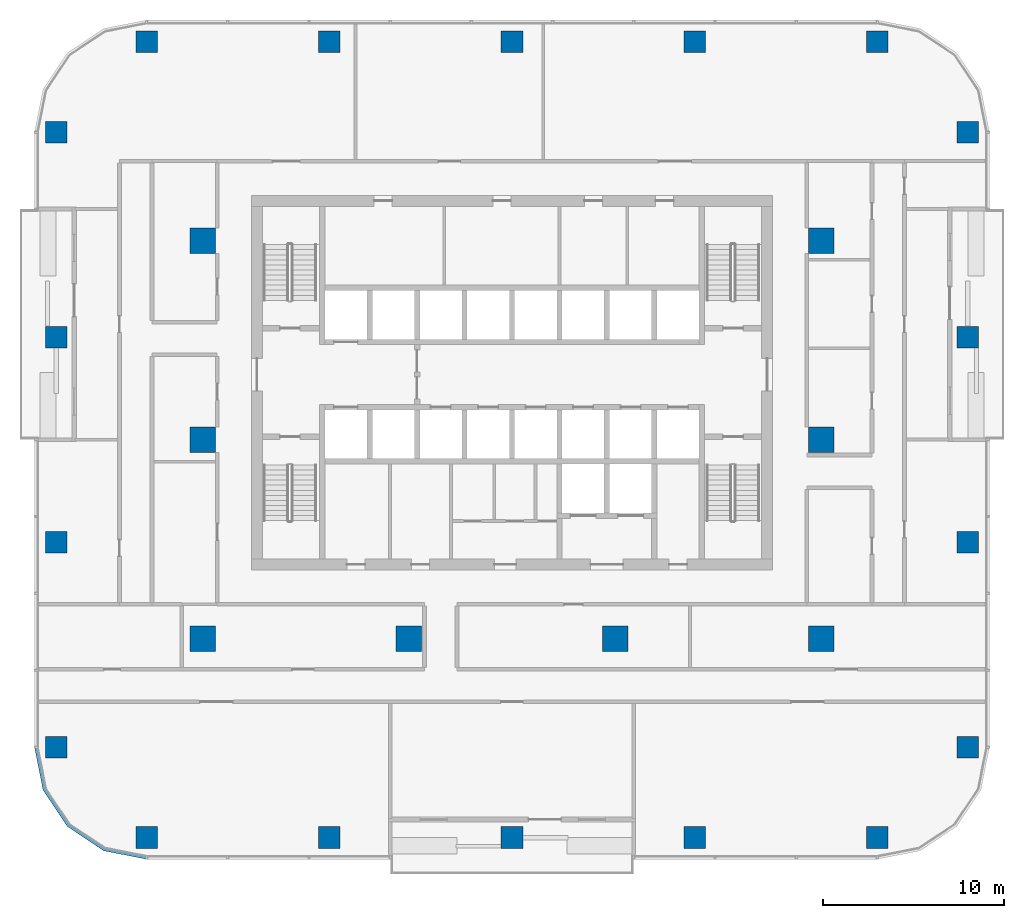
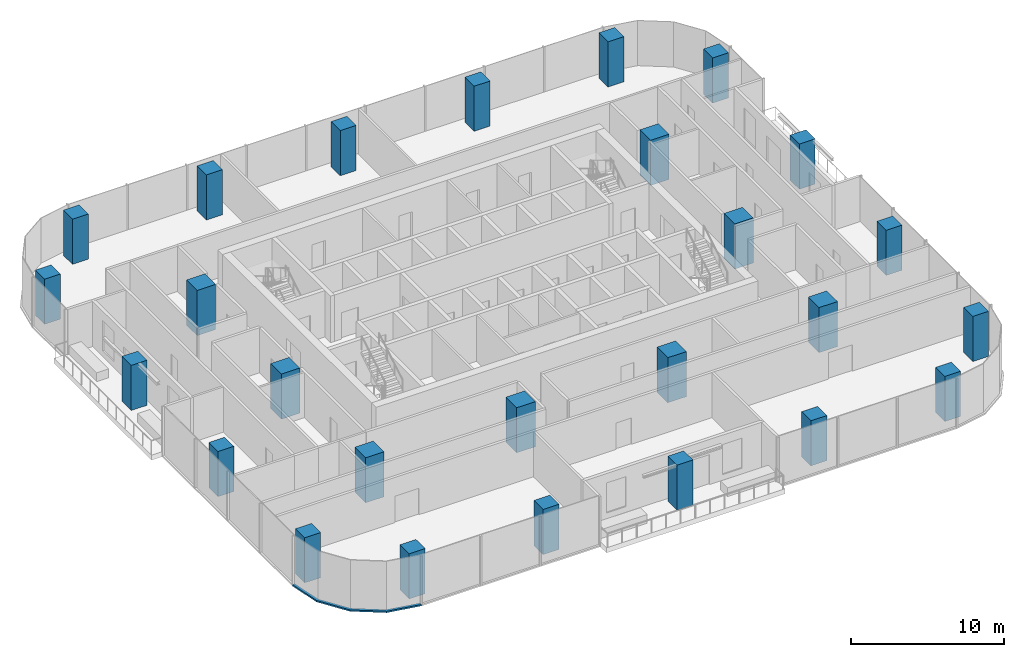
# One storey, part 1 of 15: 26 columns, 1 member, 1 element without a shape of its own.
"""IFC4 building model written with IfcOpenShell, lengths in metres."""

from ifc_helpers import new_model, si_unit, direction, frame, origin, origin_2d, place, context, subcontext, project, spatial, polyline, rectangle, outline, extrude, material, material_profile, profile_set, type_object, element, aggregate, save


model = new_model("IFC4")

# Units and contexts
model_context = context("Model", 3, precision=1e-05, world=origin(), true_north=direction((0.0, 1.0)))
body_context = subcontext(model_context, "Body", "Model", "MODEL_VIEW")
ifc_project = project(units=[si_unit("LENGTHUNIT", "METRE"), si_unit("AREAUNIT", "SQUARE_METRE"), si_unit("VOLUMEUNIT", "CUBIC_METRE"), si_unit("PLANEANGLEUNIT", "RADIAN"), si_unit("MASSUNIT", "GRAM", prefix="KILO")], contexts=[model_context])

# Site, building, storey
site_placement = place(None, origin())
site = spatial("IfcSite", under=ifc_project, at=site_placement, CompositionType="ELEMENT")
building_placement = place(site_placement, origin())
building = spatial("IfcBuilding", under=site, at=building_placement, Name="Mopane Tessera Tower", CompositionType="ELEMENT")
storey_placement = place(building_placement, frame((0.0, 0.0, 173.0)))
storey = spatial("IfcBuildingStorey", under=building, at=storey_placement, Name="L35", CompositionType="ELEMENT", Elevation=173.0)

# Columns
ifc_material_1 = material(Name="Concrete C50/60", Category="concrete")
ifc_material_profile_1 = material_profile(ifc_material_1, rectangle(XDim=1.39990234375, YDim=1.39990234375, at=origin_2d()))
ifc_profile_set_1 = profile_set([ifc_material_profile_1], Name="Concrete C50/60")
column_type_1 = type_object("IfcColumnType", Name="Interior column 1400 x 1400 C50/60", PredefinedType="COLUMN", material=ifc_profile_set_1)
for number, where, z_axis, x_axis, name in (
    (1, (-17.10009765625, -11.0, 0.0), (0.0, 0.0, 1.0), (1.0, 0.0, 0.0), "Interior column I1A L35"),
    (2, (-17.10009765625, 0.0, 0.0), (0.0, 0.0, 1.0), (1.0, 0.0, 0.0), "Interior column I1B L35"),
    (3, (-17.10009765625, 11.0, 0.0), (0.0, 0.0, 1.0), (1.0, 0.0, 0.0), "Interior column I1C L35"),
    (4, (-5.699951171875, -11.0, 0.0), (0.0, 0.0, 1.0), (1.0, 0.0, 0.0), "Interior column I2A L35"),
    (5, (5.699951171875, -11.0, 0.0), (0.0, 0.0, 1.0), (1.0, 0.0, 0.0), "Interior column I3A L35"),
    (6, (17.10009765625, -11.0, 0.0), (0.0, 0.0, 1.0), (1.0, 0.0, 0.0), "Interior column I4A L35"),
    (7, (17.10009765625, 0.0, 0.0), (0.0, 0.0, 1.0), (1.0, 0.0, 0.0), "Interior column I4B L35"),
    (8, (17.10009765625, 11.0, 0.0), (0.0, 0.0, 1.0), (1.0, 0.0, 0.0), "Interior column I4C L35"),
):
    element("IfcColumn", number, at=place(storey_placement, frame(where, z_axis=z_axis, x_axis=x_axis)), inside=storey, type_object=column_type_1, Name=name, PredefinedType="COLUMN", context=body_context, shape_type="SweptSolid", body=[
        extrude(rectangle(XDim=1.39990234375, YDim=1.39990234375, at=origin_2d()), origin(), (0.0, 0.0, 1.0), 3.60009765625),
    ])
ifc_material_2 = material(Name="Concrete C50/60", Category="concrete")
ifc_material_profile_2 = material_profile(ifc_material_2, rectangle(XDim=1.199951171875, YDim=1.199951171875, at=origin_2d()))
ifc_profile_set_2 = profile_set([ifc_material_profile_2], Name="Concrete C50/60")
column_type_2 = type_object("IfcColumnType", Name="Ring column 1200 x 1200 C50/60", PredefinedType="COLUMN", material=ifc_profile_set_2)
for number, where, z_axis, x_axis, name in (
    (9, (-20.199951171875, -22.0, 0.0), (0.0, 0.0, 1.0), (1.0, 0.0, 0.0), "Ring column S0 L35"),
    (10, (-10.10009765625, -22.0, 0.0), (0.0, 0.0, 1.0), (1.0, 0.0, 0.0), "Ring column S1 L35"),
    (11, (0.0, -22.0, 0.0), (0.0, 0.0, 1.0), (1.0, 0.0, 0.0), "Ring column S2 L35"),
    (12, (10.10009765625, -22.0, 0.0), (0.0, 0.0, 1.0), (1.0, 0.0, 0.0), "Ring column S3 L35"),
    (13, (20.199951171875, -22.0, 0.0), (0.0, 0.0, 1.0), (1.0, 0.0, 0.0), "Ring column S4 L35"),
    (14, (25.199951171875, -17.0, 0.0), (0.0, 0.0, 1.0), (1.0, 0.0, 0.0), "Ring column E0 L35"),
    (15, (25.199951171875, -5.666748046875, 0.0), (0.0, 0.0, 1.0), (1.0, 0.0, 0.0), "Ring column E1 L35"),
    (16, (25.199951171875, 5.666748046875, 0.0), (0.0, 0.0, 1.0), (1.0, 0.0, 0.0), "Ring column E2 L35"),
    (17, (25.199951171875, 17.0, 0.0), (0.0, 0.0, 1.0), (1.0, 0.0, 0.0), "Ring column E3 L35"),
    (18, (20.199951171875, 22.0, 0.0), (0.0, 0.0, 1.0), (1.0, 0.0, 0.0), "Ring column N0 L35"),
    (19, (10.10009765625, 22.0, 0.0), (0.0, 0.0, 1.0), (1.0, 0.0, 0.0), "Ring column N1 L35"),
    (20, (0.0, 22.0, 0.0), (0.0, 0.0, 1.0), (1.0, 0.0, 0.0), "Ring column N2 L35"),
    (21, (-10.10009765625, 22.0, 0.0), (0.0, 0.0, 1.0), (1.0, 0.0, 0.0), "Ring column N3 L35"),
    (22, (-20.199951171875, 22.0, 0.0), (0.0, 0.0, 1.0), (1.0, 0.0, 0.0), "Ring column N4 L35"),
    (23, (-25.199951171875, 17.0, 0.0), (0.0, 0.0, 1.0), (1.0, 0.0, 0.0), "Ring column W0 L35"),
    (24, (-25.199951171875, 5.666748046875, 0.0), (0.0, 0.0, 1.0), (1.0, 0.0, 0.0), "Ring column W1 L35"),
    (25, (-25.199951171875, -5.666748046875, 0.0), (0.0, 0.0, 1.0), (1.0, 0.0, 0.0), "Ring column W2 L35"),
    (26, (-25.199951171875, -17.0, 0.0), (0.0, 0.0, 1.0), (1.0, 0.0, 0.0), "Ring column W3 L35"),
):
    element("IfcColumn", number, at=place(storey_placement, frame(where, z_axis=z_axis, x_axis=x_axis)), inside=storey, type_object=column_type_2, Name=name, PredefinedType="COLUMN", context=body_context, shape_type="SweptSolid", body=[
        extrude(rectangle(XDim=1.199951171875, YDim=1.199951171875, at=origin_2d()), origin(), (0.0, 0.0, 1.0), 3.60009765625),
    ])

# Curtain wall, member
ifc_material_3 = material(Name="Aluminium frame", Category="aluminium")
curtain_wall_type = type_object("IfcCurtainWallType", Name="Unitised curtain wall", PredefinedType="NOTDEFINED", material=ifc_material_3)
curtain_wall_placement = place(storey_placement, origin())
curtain_wall = element("IfcCurtainWall", 27, at=curtain_wall_placement, inside=storey, type_object=curtain_wall_type, Name="e:cw:L35:CW", PredefinedType="NOTDEFINED")
ifc_material_4 = material(Name="Aluminium frame", Category="aluminium")
ifc_material_profile_3 = material_profile(ifc_material_4, rectangle(XDim=0.199951171875, YDim=0.1201171875, at=origin_2d()))
ifc_profile_set_3 = profile_set([ifc_material_profile_3], Name="Aluminium frame")
member_type = type_object("IfcMemberType", Name="Aluminium transom 200 x 120", PredefinedType="USERDEFINED", material=ifc_profile_set_3)
member_placement = place(storey_placement, frame((0.0, 0.0, -0.39990234375)))
member = element("IfcMember", 28, at=member_placement, type_object=member_type, Name="e:cw:L35:CW:tr", ObjectType="TRANSOM", PredefinedType="USERDEFINED", context=body_context, shape_type="SweptSolid", body=[
    extrude(outline(polyline([(-26.199951171875, -17.0), (-25.7431640625, -19.296142578125), (-24.442626953125, -21.24267578125), (-22.49609375, -22.543212890625), (-20.199951171875, -23.0), (-20.199951171875, -23.199951171875), (-22.57275390625, -22.72802734375), (-24.583984375, -21.384033203125), (-25.927978515625, -19.37255859375), (-26.39990234375, -17.0), (-26.199951171875, -17.0)])), origin(), (0.0, 0.0, 1.0), 0.119873046875),
])
aggregate(curtain_wall, [member])

save(model, "model.ifc")
